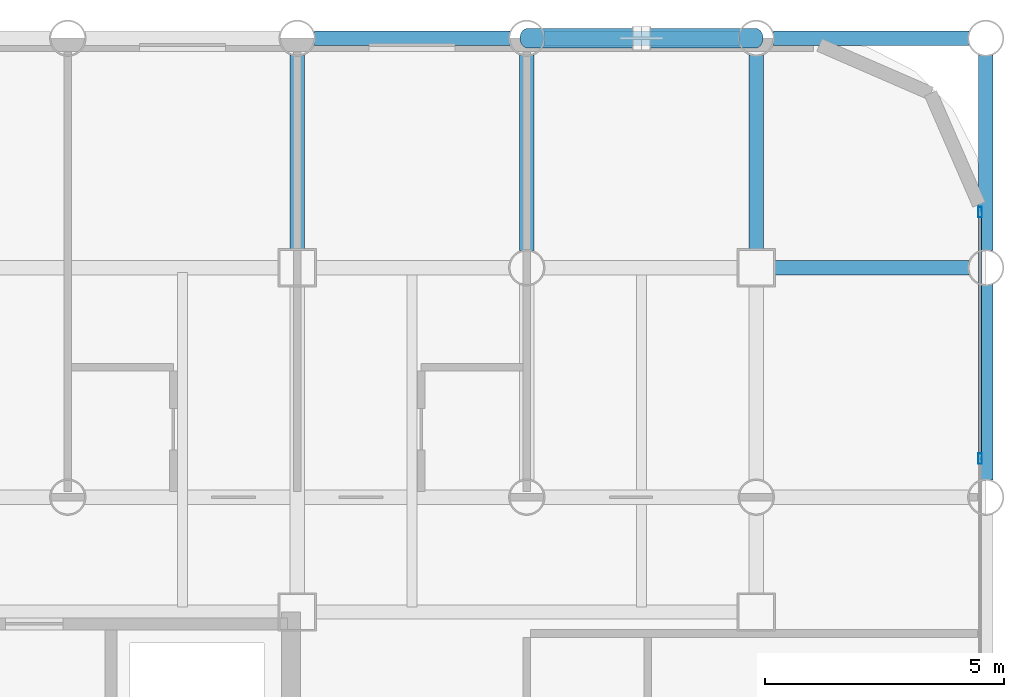
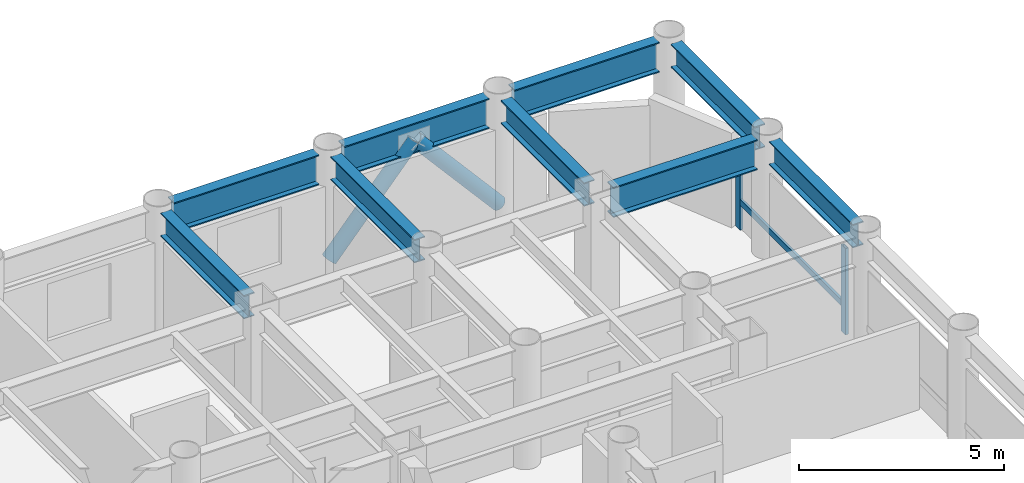
# One storey, part 14 of 21: 9 beams, 5 members, 1 element without a shape of its own.
"""IFC4 building model written with IfcOpenShell, lengths in metres."""

from ifc_helpers import new_model, si_unit, direction, frame, origin, origin_2d, place, context, subcontext, project, spatial, hollow_rectangle, hollow_circle, i_section, extrude, material, layer, layer_set, material_profile, profile_set, type_object, element, aggregate, save


model = new_model("IFC4")

# Units and contexts
model_context = context("Model", 3, precision=1e-05, world=origin(), true_north=direction((0.0, 1.0)))
body_context = subcontext(model_context, "Body", "Model", "MODEL_VIEW")
ifc_project = project(units=[si_unit("LENGTHUNIT", "METRE"), si_unit("AREAUNIT", "SQUARE_METRE"), si_unit("VOLUMEUNIT", "CUBIC_METRE"), si_unit("PLANEANGLEUNIT", "RADIAN"), si_unit("MASSUNIT", "GRAM", prefix="KILO")], contexts=[model_context])

# Site, building, storey
site_placement = place(None, origin())
site = spatial("IfcSite", under=ifc_project, at=site_placement, CompositionType="ELEMENT")
building_placement = place(site_placement, origin())
building = spatial("IfcBuilding", under=site, at=building_placement, Name="Kallvorn Hotel Tower", CompositionType="ELEMENT")
storey_placement = place(building_placement, frame((0.0, 0.0, 41.10009765625)))
storey = spatial("IfcBuildingStorey", under=building, at=storey_placement, Name="L08", CompositionType="ELEMENT", Elevation=41.10009765625)

# Beams
ifc_material_1 = material(Name="Structural steel S355JR", Category="steel")
ifc_material_profile_1 = material_profile(ifc_material_1, i_section(OverallWidth=0.300048828125, OverallDepth=0.699951171875, WebThickness=0.01708984375, FlangeThickness=0.031982421875, at=origin_2d()), Name="HE 700 B")
ifc_profile_set_1 = profile_set([ifc_material_profile_1], Name="Structural steel S355JR")
beam_type_1 = type_object("IfcBeamType", Name="BM_HE700B", PredefinedType="BEAM", material=ifc_profile_set_1)
beam_1_placement = place(storey_placement, frame((14.39990234375, 14.77490234375, 3.169921875), z_axis=(0.0, 1.0, 0.0), x_axis=(-1.0, 0.0, 0.0)))
element("IfcBeam", 1, at=beam_1_placement, inside=storey, type_object=beam_type_1, Name="L09 Primary Y-Girder 126", PredefinedType="BEAM", context=body_context, shape_type="SweptSolid", body=[
    extrude(i_section(OverallWidth=0.300048828125, OverallDepth=0.699951171875, WebThickness=0.01708984375, FlangeThickness=0.031982421875, at=origin_2d()), origin(), (0.0, 0.0, 1.0), 4.069091796875),
])
beam_2_placement = place(storey_placement, frame((19.199951171875, 14.756103515625, 3.169921875), z_axis=(0.0, 1.0, 0.0), x_axis=(-1.0, 0.0, 0.0)))
element("IfcBeam", 2, at=beam_2_placement, inside=storey, type_object=beam_type_1, Name="L09 Primary Y-Girder 135", PredefinedType="BEAM", context=body_context, shape_type="SweptSolid", body=[
    extrude(i_section(OverallWidth=0.300048828125, OverallDepth=0.699951171875, WebThickness=0.01708984375, FlangeThickness=0.031982421875, at=origin_2d()), origin(), (0.0, 0.0, 1.0), 4.087890625),
])
beam_3_placement = place(storey_placement, frame((24.0, 14.77490234375, 3.169921875), z_axis=(0.0, 1.0, 0.0), x_axis=(-1.0, 0.0, 0.0)))
element("IfcBeam", 3, at=beam_3_placement, inside=storey, type_object=beam_type_1, Name="L09 Primary Y-Girder 142", PredefinedType="BEAM", context=body_context, shape_type="SweptSolid", body=[
    extrude(i_section(OverallWidth=0.300048828125, OverallDepth=0.699951171875, WebThickness=0.01708984375, FlangeThickness=0.031982421875, at=origin_2d()), origin(), (0.0, 0.0, 1.0), 4.069091796875),
])
for number, where, z_axis, x_axis, name in (
    (4, (28.800048828125, 9.9560546875, 3.169921875), (0.0, 1.0, 0.0), (-1.0, 0.0, 0.0), "L09 Primary Y-Girder 149"),
    (5, (28.800048828125, 14.756103515625, 3.169921875), (0.0, 1.0, 0.0), (-1.0, 0.0, 0.0), "L09 Primary Y-Girder 150"),
):
    element("IfcBeam", number, at=place(storey_placement, frame(where, z_axis=z_axis, x_axis=x_axis)), inside=storey, type_object=beam_type_1, Name=name, PredefinedType="BEAM", context=body_context, shape_type="SweptSolid", body=[
        extrude(i_section(OverallWidth=0.300048828125, OverallDepth=0.699951171875, WebThickness=0.01708984375, FlangeThickness=0.031982421875, at=origin_2d()), origin(), (0.0, 0.0, 1.0), 4.087890625),
    ])
ifc_material_2 = material(Name="Structural steel S355JR", Category="steel")
ifc_material_profile_2 = material_profile(ifc_material_2, i_section(OverallWidth=0.300048828125, OverallDepth=0.89990234375, WebThickness=0.0185546875, FlangeThickness=0.034912109375, at=origin_2d()), Name="HE 900 B")
ifc_profile_set_2 = profile_set([ifc_material_profile_2], Name="Structural steel S355JR")
beam_type_2 = type_object("IfcBeamType", Name="BM_HE900B", PredefinedType="BEAM", material=ifc_profile_set_2)
beam_4_placement = place(storey_placement, frame((24.375, 14.39990234375, 3.06982421875), z_axis=(1.0, 0.0, 0.0), x_axis=(0.0, 1.0, 0.0)))
element("IfcBeam", 6, at=beam_4_placement, inside=storey, type_object=beam_type_2, Name="L09 Primary X-Girder 60", PredefinedType="BEAM", context=body_context, shape_type="SweptSolid", body=[
    extrude(i_section(OverallWidth=0.300048828125, OverallDepth=0.89990234375, WebThickness=0.0185546875, FlangeThickness=0.034912109375, at=origin_2d()), origin(), (0.0, 0.0, 1.0), 4.069091796875),
])
beam_5_placement = place(storey_placement, frame((14.756103515625, 19.199951171875, 3.06982421875), z_axis=(1.0, 0.0, 0.0), x_axis=(0.0, 1.0, 0.0)))
element("IfcBeam", 7, at=beam_5_placement, inside=storey, type_object=beam_type_2, Name="L09 Primary X-Girder 70", PredefinedType="BEAM", context=body_context, shape_type="SweptSolid", body=[
    extrude(i_section(OverallWidth=0.300048828125, OverallDepth=0.89990234375, WebThickness=0.0185546875, FlangeThickness=0.034912109375, at=origin_2d()), origin(), (0.0, 0.0, 1.0), 4.087890625),
])
for number, where, z_axis, x_axis, name in (
    (8, (19.555908203125, 19.199951171875, 3.06982421875), (1.0, 0.0, 0.0), (0.0, 1.0, 0.0), "L09 Primary X-Girder 71"),
    (9, (24.35595703125, 19.199951171875, 3.06982421875), (1.0, 0.0, 0.0), (0.0, 1.0, 0.0), "L09 Primary X-Girder 72"),
):
    element("IfcBeam", number, at=place(storey_placement, frame(where, z_axis=z_axis, x_axis=x_axis)), inside=storey, type_object=beam_type_2, Name=name, PredefinedType="BEAM", context=body_context, shape_type="SweptSolid", body=[
        extrude(i_section(OverallWidth=0.300048828125, OverallDepth=0.89990234375, WebThickness=0.0185546875, FlangeThickness=0.034912109375, at=origin_2d()), origin(), (0.0, 0.0, 1.0), 4.088134765625),
    ])

# Curtain wall, members
ifc_material_3 = material(Name="Thermally broken black-anodised aluminium AA 6063-T6", Category="aluminium")
ifc_layer = layer(ifc_material_3, 0.199951171875)
ifc_layer_set = layer_set([ifc_layer], Name="CW_SYS_3_HOTEL_LOW")
curtain_wall_type = type_object("IfcCurtainWallType", Name="CW_SYS_3_HOTEL_LOW", PredefinedType="USERDEFINED", material=ifc_layer_set)
curtain_wall_placement = place(storey_placement, origin())
curtain_wall = element("IfcCurtainWall", 10, at=curtain_wall_placement, inside=storey, type_object=curtain_wall_type, Name="L08 Dark-Glass Curtain Wall CW-L08-EN", ObjectType="UNITISED CURTAIN WALL", PredefinedType="USERDEFINED")
ifc_material_4 = material(Name="Thermally broken black-anodised aluminium AA 6063-T6", Category="aluminium")
ifc_material_profile_3 = material_profile(ifc_material_4, hollow_rectangle(XDim=0.080078125, YDim=0.219970703125, WallThickness=0.0048828125, at=origin_2d()), Name="MUL 220x80")
ifc_profile_set_3 = profile_set([ifc_material_profile_3], Name="Thermally broken black-anodised aluminium AA 6063-T6")
member_type_1 = type_object("IfcMemberType", Name="CW_MULLION_220x80", PredefinedType="MULLION", material=ifc_profile_set_3)
member_1_placement = place(storey_placement, frame((28.679931640625, 10.40673828125, 0.02001953125), z_axis=(0.0, 0.0, 1.0), x_axis=(1.0, 0.0, 0.0)))
member_1 = element("IfcMember", 11, at=member_1_placement, type_object=member_type_1, Name="CW-L08-EN Mullion 02", PredefinedType="MULLION", context=body_context, shape_type="SweptSolid", body=[
    extrude(hollow_rectangle(XDim=0.080078125, YDim=0.219970703125, WallThickness=0.0048828125, at=origin_2d()), origin(), (0.0, 0.0, 1.0), 2.579833984375),
])
member_2_placement = place(storey_placement, frame((28.679931640625, 15.56005859375, 0.02001953125), z_axis=(0.0, 0.0, 1.0), x_axis=(1.0, 0.0, 0.0)))
member_2 = element("IfcMember", 12, at=member_2_placement, type_object=member_type_1, Name="CW-L08-EN Mullion 03", PredefinedType="MULLION", context=body_context, shape_type="SweptSolid", body=[
    extrude(hollow_rectangle(XDim=0.080078125, YDim=0.219970703125, WallThickness=0.0048828125, at=origin_2d()), origin(), (0.0, 0.0, 1.0), 2.579833984375),
])
ifc_material_5 = material(Name="Thermally broken black-anodised aluminium AA 6063-T6", Category="aluminium")
ifc_material_profile_4 = material_profile(ifc_material_5, hollow_rectangle(XDim=0.070068359375, YDim=0.179931640625, WallThickness=0.00390625, at=origin_2d()), Name="TRN 180x70")
ifc_profile_set_4 = profile_set([ifc_material_profile_4], Name="Thermally broken black-anodised aluminium AA 6063-T6")
member_type_2 = type_object("IfcMemberType", Name="CW_TRANSOM_180x70", PredefinedType="USERDEFINED", material=ifc_profile_set_4)
member_3_placement = place(storey_placement, frame((28.679931640625, 10.44677734375, 0.849853515625), z_axis=(0.0, 1.0, 0.0), x_axis=(-1.0, 0.0, 0.0)))
member_3 = element("IfcMember", 13, at=member_3_placement, type_object=member_type_2, Name="CW-L08-EN Transom 02M", ObjectType="TRANSOM", PredefinedType="USERDEFINED", context=body_context, shape_type="SweptSolid", body=[
    extrude(hollow_rectangle(XDim=0.070068359375, YDim=0.179931640625, WallThickness=0.00390625, at=origin_2d()), origin(), (0.0, 0.0, 1.0), 5.11328125),
])
aggregate(curtain_wall, [member_1, member_2, member_3])

# Members
ifc_material_6 = material(Name="Structural steel S355J2H", Category="steel")
ifc_material_profile_5 = material_profile(ifc_material_6, hollow_circle(Radius=0.203125, WallThickness=0.01611328125, at=origin_2d()), Name="CHS 406.4x16")
ifc_profile_set_5 = profile_set([ifc_material_profile_5], Name="Structural steel S355J2H")
member_type_3 = type_object("IfcMemberType", Name="MBR_EXO_CHS406", PredefinedType="BRACE", material=ifc_profile_set_5)
for number, where, z_axis, x_axis, name in (
    (14, (19.213134765625, 19.199951171875, 0.195068359375), (0.65346062529, 0.0, 0.756960508346), (0.0, 1.0, 0.0), "L08 Exoskeleton K-Brace N2A"),
    (15, (23.98681640625, 19.199951171875, 0.195068359375), (-0.65346062529, 0.0, 0.756960508346), (0.0, -1.0, 0.0), "L08 Exoskeleton K-Brace N2B"),
):
    element("IfcMember", number, at=place(storey_placement, frame(where, z_axis=z_axis, x_axis=x_axis)), inside=storey, type_object=member_type_3, Name=name, PredefinedType="BRACE", context=body_context, shape_type="SweptSolid", body=[
        extrude(hollow_circle(Radius=0.203125, WallThickness=0.01611328125, at=origin_2d()), origin(), (0.0, 0.0, 1.0), 3.632568359375),
    ])

save(model, "model.ifc")
